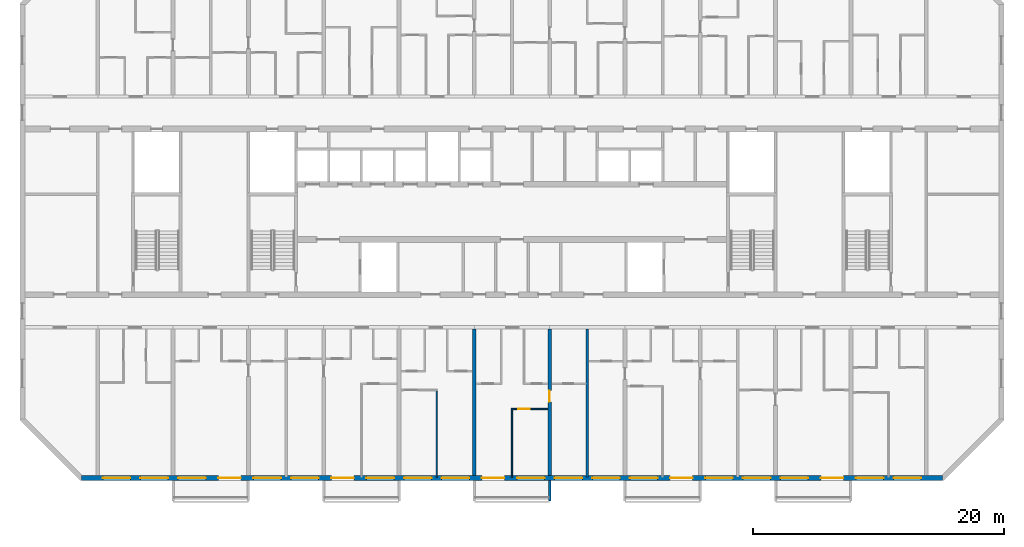
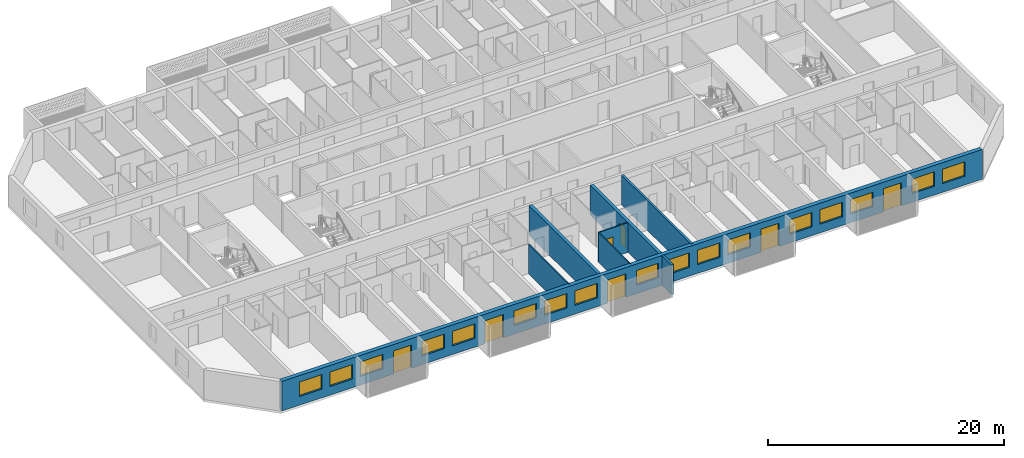
# One storey, part 4 of 33: 17 windows, 8 walls, 7 doors, 24 openings.
"""IFC4 building model written with IfcOpenShell, lengths in metres."""

from ifc_helpers import new_model, si_unit, direction, frame, frame_2d, origin, place, context, subcontext, project, spatial, polyline, rectangle, outline, extrude, source, transform, mapped, material, layer, layer_set, type_object, element, fill, save


model = new_model("IFC4")

# Units and contexts
model_context = context("Model", 3, precision=1e-05, world=origin(), true_north=direction((0.0, 1.0)))
body_context = subcontext(model_context, "Body", "Model", "MODEL_VIEW")
ifc_project = project(units=[si_unit("LENGTHUNIT", "METRE"), si_unit("AREAUNIT", "SQUARE_METRE"), si_unit("VOLUMEUNIT", "CUBIC_METRE"), si_unit("PLANEANGLEUNIT", "RADIAN"), si_unit("MASSUNIT", "GRAM", prefix="KILO")], contexts=[model_context])

# Site, building, storey
site_placement = place(None, origin())
site = spatial("IfcSite", under=ifc_project, at=site_placement, CompositionType="ELEMENT")
building_placement = place(site_placement, origin())
building = spatial("IfcBuilding", under=site, at=building_placement, Name="Poui Terraces", CompositionType="ELEMENT")
storey_placement = place(building_placement, frame((0.0, 0.0, 135.60009765625)))
storey = spatial("IfcBuildingStorey", under=building, at=storey_placement, Name="L37", CompositionType="ELEMENT", Elevation=135.60009765625)

# Wall
ifc_material_1 = material(Name="Concrete 65 MPa", Category="concrete")
ifc_layer_1 = layer(ifc_material_1, 0.300048828125)
ifc_layer_set_1 = layer_set([ifc_layer_1], Name="Concrete 65 MPa")
wall_type_1 = type_object("IfcWallType", Name="CROSS WALL 300 65MPa", PredefinedType="SHEAR", material=ifc_layer_set_1)
wall_1_placement = place(storey_placement, frame((48.0, 0.199951171875, 0.0), z_axis=(0.0, 0.0, 1.0), x_axis=(0.0, 1.0, 0.0)))
element("IfcWall", 1, at=wall_1_placement, inside=storey, type_object=wall_type_1, Name="CROSS WALL LINE 9 SOUTH", PredefinedType="SHEAR", context=body_context, shape_type="SweptSolid", body=[
    extrude(rectangle(XDim=11.675048828125, YDim=0.300048828125, at=frame_2d((5.83740234375, 0.0))), origin(), (0.0, 0.0, 1.0), 3.06982421875),
])

# Wall, opening, door
wall_2_placement = place(storey_placement, frame((54.0, 0.199951171875, 0.0), z_axis=(0.0, 0.0, 1.0), x_axis=(0.0, 1.0, 0.0)))
wall_2 = element("IfcWall", 2, at=wall_2_placement, inside=storey, type_object=wall_type_1, Name="CROSS WALL LINE 10 SOUTH", PredefinedType="SHEAR", context=body_context, shape_type="SweptSolid", body=[
    extrude(rectangle(XDim=11.675048828125, YDim=0.300048828125, at=frame_2d((5.83740234375, 0.0))), origin(), (0.0, 0.0, 1.0), 3.06982421875),
])
opening_1_placement = place(wall_2_placement, frame((5.85009765625, 0.0, 0.0)))
opening_1 = element("IfcOpeningElement", 3, at=opening_1_placement, cuts=wall_2, Name="Opening D90", PredefinedType="OPENING", context=body_context, shape_type="SweptSolid", body=[
    extrude(rectangle(XDim=0.89990234375, YDim=2.10009765625, at=frame_2d((0.449951171875, 1.050048828125))), frame((0.0, 0.16015625, 0.0), z_axis=(0.0, -1.0, 0.0), x_axis=(1.0, 0.0, 0.0)), (0.0, 0.0, 1.0), 0.320068359375),
])
ifc_material_2 = material(Name="Solid core timber door", Category="wood")
door_type_1 = type_object("IfcDoorType", Name="INTERNAL DOOR 900 X 2100", OperationType="NOTDEFINED", PredefinedType="DOOR", material=ifc_material_2)
door_1_placement = place(opening_1_placement, frame((0.89990234375, 0.0, 0.0), z_axis=(0.0, 0.0, 1.0), x_axis=(-1.0, 0.0, 0.0)))
door_1 = element("IfcDoor", 4, at=door_1_placement, inside=storey, type_object=door_type_1, Name="INTERNAL DOOR 098", OperationType="SINGLE_SWING_LEFT", OverallHeight=2.10009765625, OverallWidth=0.89990234375, PredefinedType="DOOR", context=body_context, shape_type="SweptSolid", body=[
    extrude(rectangle(XDim=0.89990234375, YDim=2.10009765625, at=frame_2d((0.449951171875, 1.050048828125))), frame((0.0, 0.02490234375, 0.0), z_axis=(0.0, -1.0, 0.0), x_axis=(1.0, 0.0, 0.0)), (0.0, 0.0, 1.0), 0.050048828125),
])
fill(opening_1, door_1)

# Wall, openings, doors, windows
ifc_material_3 = material(Name="Precast concrete 40 MPa", Category="concrete")
ifc_layer_2 = layer(ifc_material_3, 0.39990234375)
ifc_layer_set_2 = layer_set([ifc_layer_2], Name="Precast concrete 40 MPa")
wall_type_2 = type_object("IfcWallType", Name="EXTERNAL WALL 400", PredefinedType="STANDARD", material=ifc_layer_set_2)
wall_3_placement = place(storey_placement, frame((16.682861328125, 0.0, 0.0), z_axis=(0.0, 0.0, 1.0), x_axis=(1.0, 0.0, 0.0)))
wall_3 = element("IfcWall", 5, at=wall_3_placement, inside=storey, type_object=wall_type_2, Name="EXTERNAL WALL S", PredefinedType="STANDARD", context=body_context, shape_type="SweptSolid", body=[
    extrude(rectangle(XDim=68.63427734375, YDim=0.39990234375, at=frame_2d((34.317138671875, 0.0))), origin(), (0.0, 0.0, 1.0), 3.06982421875),
])
opening_2_placement = place(wall_3_placement, frame((1.71728515625, 0.0, 0.89990234375)))
opening_2 = element("IfcOpeningElement", 6, at=opening_2_placement, cuts=wall_3, Name="Opening W1", PredefinedType="OPENING", context=body_context, shape_type="SweptSolid", body=[
    extrude(rectangle(XDim=2.199951171875, YDim=1.5, at=frame_2d((1.10009765625, 0.75))), frame((0.0, 0.2099609375, 0.0), z_axis=(0.0, -1.0, 0.0), x_axis=(1.0, 0.0, 0.0)), (0.0, 0.0, 1.0), 0.419921875),
])
opening_3_placement = place(wall_3_placement, frame((4.71728515625, 0.0, 0.89990234375)))
opening_3 = element("IfcOpeningElement", 7, at=opening_3_placement, cuts=wall_3, Name="Opening W1", PredefinedType="OPENING", context=body_context, shape_type="SweptSolid", body=[
    extrude(rectangle(XDim=2.199951171875, YDim=1.5, at=frame_2d((1.10009765625, 0.75))), frame((0.0, 0.2099609375, 0.0), z_axis=(0.0, -1.0, 0.0), x_axis=(1.0, 0.0, 0.0)), (0.0, 0.0, 1.0), 0.419921875),
])
opening_4_placement = place(wall_3_placement, frame((7.71728515625, 0.0, 0.89990234375)))
opening_4 = element("IfcOpeningElement", 8, at=opening_4_placement, cuts=wall_3, Name="Opening W1", PredefinedType="OPENING", context=body_context, shape_type="SweptSolid", body=[
    extrude(rectangle(XDim=2.199951171875, YDim=1.5, at=frame_2d((1.10009765625, 0.75))), frame((0.0, 0.2099609375, 0.0), z_axis=(0.0, -1.0, 0.0), x_axis=(1.0, 0.0, 0.0)), (0.0, 0.0, 1.0), 0.419921875),
])
opening_5_placement = place(wall_3_placement, frame((10.917236328125, 0.0, 0.0)))
opening_5 = element("IfcOpeningElement", 9, at=opening_5_placement, cuts=wall_3, Name="Opening BD1", PredefinedType="OPENING", context=body_context, shape_type="SweptSolid", body=[
    extrude(rectangle(XDim=1.800048828125, YDim=2.39990234375, at=frame_2d((0.89990234375, 1.199951171875))), frame((0.0, 0.2099609375, 0.0), z_axis=(0.0, -1.0, 0.0), x_axis=(1.0, 0.0, 0.0)), (0.0, 0.0, 1.0), 0.419921875),
])
opening_6_placement = place(wall_3_placement, frame((13.71728515625, 0.0, 0.89990234375)))
opening_6 = element("IfcOpeningElement", 10, at=opening_6_placement, cuts=wall_3, Name="Opening W1", PredefinedType="OPENING", context=body_context, shape_type="SweptSolid", body=[
    extrude(rectangle(XDim=2.199951171875, YDim=1.5, at=frame_2d((1.10009765625, 0.75))), frame((0.0, 0.2099609375, 0.0), z_axis=(0.0, -1.0, 0.0), x_axis=(1.0, 0.0, 0.0)), (0.0, 0.0, 1.0), 0.419921875),
])
opening_7_placement = place(wall_3_placement, frame((16.71728515625, 0.0, 0.89990234375)))
opening_7 = element("IfcOpeningElement", 11, at=opening_7_placement, cuts=wall_3, Name="Opening W1", PredefinedType="OPENING", context=body_context, shape_type="SweptSolid", body=[
    extrude(rectangle(XDim=2.199951171875, YDim=1.5, at=frame_2d((1.10009765625, 0.75))), frame((0.0, 0.2099609375, 0.0), z_axis=(0.0, -1.0, 0.0), x_axis=(1.0, 0.0, 0.0)), (0.0, 0.0, 1.0), 0.419921875),
])
opening_8_placement = place(wall_3_placement, frame((19.917236328125, 0.0, 0.0)))
opening_8 = element("IfcOpeningElement", 12, at=opening_8_placement, cuts=wall_3, Name="Opening BD1", PredefinedType="OPENING", context=body_context, shape_type="SweptSolid", body=[
    extrude(rectangle(XDim=1.800048828125, YDim=2.39990234375, at=frame_2d((0.89990234375, 1.199951171875))), frame((0.0, 0.2099609375, 0.0), z_axis=(0.0, -1.0, 0.0), x_axis=(1.0, 0.0, 0.0)), (0.0, 0.0, 1.0), 0.419921875),
])
opening_9_placement = place(wall_3_placement, frame((22.71728515625, 0.0, 0.89990234375)))
opening_9 = element("IfcOpeningElement", 13, at=opening_9_placement, cuts=wall_3, Name="Opening W1", PredefinedType="OPENING", context=body_context, shape_type="SweptSolid", body=[
    extrude(rectangle(XDim=2.199951171875, YDim=1.5, at=frame_2d((1.10009765625, 0.75))), frame((0.0, 0.2099609375, 0.0), z_axis=(0.0, -1.0, 0.0), x_axis=(1.0, 0.0, 0.0)), (0.0, 0.0, 1.0), 0.419921875),
])
opening_10_placement = place(wall_3_placement, frame((25.71728515625, 0.0, 0.89990234375)))
opening_10 = element("IfcOpeningElement", 14, at=opening_10_placement, cuts=wall_3, Name="Opening W1", PredefinedType="OPENING", context=body_context, shape_type="SweptSolid", body=[
    extrude(rectangle(XDim=2.199951171875, YDim=1.5, at=frame_2d((1.10009765625, 0.75))), frame((0.0, 0.2099609375, 0.0), z_axis=(0.0, -1.0, 0.0), x_axis=(1.0, 0.0, 0.0)), (0.0, 0.0, 1.0), 0.419921875),
])
opening_11_placement = place(wall_3_placement, frame((28.71728515625, 0.0, 0.89990234375)))
opening_11 = element("IfcOpeningElement", 15, at=opening_11_placement, cuts=wall_3, Name="Opening W1", PredefinedType="OPENING", context=body_context, shape_type="SweptSolid", body=[
    extrude(rectangle(XDim=2.199951171875, YDim=1.5, at=frame_2d((1.10009765625, 0.75))), frame((0.0, 0.2099609375, 0.0), z_axis=(0.0, -1.0, 0.0), x_axis=(1.0, 0.0, 0.0)), (0.0, 0.0, 1.0), 0.419921875),
])
opening_12_placement = place(wall_3_placement, frame((31.917236328125, 0.0, 0.0)))
opening_12 = element("IfcOpeningElement", 16, at=opening_12_placement, cuts=wall_3, Name="Opening BD1", PredefinedType="OPENING", context=body_context, shape_type="SweptSolid", body=[
    extrude(rectangle(XDim=1.800048828125, YDim=2.39990234375, at=frame_2d((0.89990234375, 1.199951171875))), frame((0.0, 0.2099609375, 0.0), z_axis=(0.0, -1.0, 0.0), x_axis=(1.0, 0.0, 0.0)), (0.0, 0.0, 1.0), 0.419921875),
])
opening_13_placement = place(wall_3_placement, frame((34.71728515625, 0.0, 0.89990234375)))
opening_13 = element("IfcOpeningElement", 17, at=opening_13_placement, cuts=wall_3, Name="Opening W1", PredefinedType="OPENING", context=body_context, shape_type="SweptSolid", body=[
    extrude(rectangle(XDim=2.199951171875, YDim=1.5, at=frame_2d((1.10009765625, 0.75))), frame((0.0, 0.2099609375, 0.0), z_axis=(0.0, -1.0, 0.0), x_axis=(1.0, 0.0, 0.0)), (0.0, 0.0, 1.0), 0.419921875),
])
opening_14_placement = place(wall_3_placement, frame((37.71728515625, 0.0, 0.89990234375)))
opening_14 = element("IfcOpeningElement", 18, at=opening_14_placement, cuts=wall_3, Name="Opening W1", PredefinedType="OPENING", context=body_context, shape_type="SweptSolid", body=[
    extrude(rectangle(XDim=2.199951171875, YDim=1.5, at=frame_2d((1.10009765625, 0.75))), frame((0.0, 0.2099609375, 0.0), z_axis=(0.0, -1.0, 0.0), x_axis=(1.0, 0.0, 0.0)), (0.0, 0.0, 1.0), 0.419921875),
])
opening_15_placement = place(wall_3_placement, frame((40.71728515625, 0.0, 0.89990234375)))
opening_15 = element("IfcOpeningElement", 19, at=opening_15_placement, cuts=wall_3, Name="Opening W1", PredefinedType="OPENING", context=body_context, shape_type="SweptSolid", body=[
    extrude(rectangle(XDim=2.199951171875, YDim=1.5, at=frame_2d((1.10009765625, 0.75))), frame((0.0, 0.2099609375, 0.0), z_axis=(0.0, -1.0, 0.0), x_axis=(1.0, 0.0, 0.0)), (0.0, 0.0, 1.0), 0.419921875),
])
opening_16_placement = place(wall_3_placement, frame((43.71728515625, 0.0, 0.89990234375)))
opening_16 = element("IfcOpeningElement", 20, at=opening_16_placement, cuts=wall_3, Name="Opening W1", PredefinedType="OPENING", context=body_context, shape_type="SweptSolid", body=[
    extrude(rectangle(XDim=2.199951171875, YDim=1.5, at=frame_2d((1.10009765625, 0.75))), frame((0.0, 0.2099609375, 0.0), z_axis=(0.0, -1.0, 0.0), x_axis=(1.0, 0.0, 0.0)), (0.0, 0.0, 1.0), 0.419921875),
])
opening_17_placement = place(wall_3_placement, frame((46.917236328125, 0.0, 0.0)))
opening_17 = element("IfcOpeningElement", 21, at=opening_17_placement, cuts=wall_3, Name="Opening BD1", PredefinedType="OPENING", context=body_context, shape_type="SweptSolid", body=[
    extrude(rectangle(XDim=1.800048828125, YDim=2.39990234375, at=frame_2d((0.89990234375, 1.199951171875))), frame((0.0, 0.2099609375, 0.0), z_axis=(0.0, -1.0, 0.0), x_axis=(1.0, 0.0, 0.0)), (0.0, 0.0, 1.0), 0.419921875),
])
opening_18_placement = place(wall_3_placement, frame((49.71728515625, 0.0, 0.89990234375)))
opening_18 = element("IfcOpeningElement", 22, at=opening_18_placement, cuts=wall_3, Name="Opening W1", PredefinedType="OPENING", context=body_context, shape_type="SweptSolid", body=[
    extrude(rectangle(XDim=2.199951171875, YDim=1.5, at=frame_2d((1.10009765625, 0.75))), frame((0.0, 0.2099609375, 0.0), z_axis=(0.0, -1.0, 0.0), x_axis=(1.0, 0.0, 0.0)), (0.0, 0.0, 1.0), 0.419921875),
])
opening_19_placement = place(wall_3_placement, frame((52.71728515625, 0.0, 0.89990234375)))
opening_19 = element("IfcOpeningElement", 23, at=opening_19_placement, cuts=wall_3, Name="Opening W1", PredefinedType="OPENING", context=body_context, shape_type="SweptSolid", body=[
    extrude(rectangle(XDim=2.199951171875, YDim=1.5, at=frame_2d((1.10009765625, 0.75))), frame((0.0, 0.2099609375, 0.0), z_axis=(0.0, -1.0, 0.0), x_axis=(1.0, 0.0, 0.0)), (0.0, 0.0, 1.0), 0.419921875),
])
opening_20_placement = place(wall_3_placement, frame((55.71728515625, 0.0, 0.89990234375)))
opening_20 = element("IfcOpeningElement", 24, at=opening_20_placement, cuts=wall_3, Name="Opening W1", PredefinedType="OPENING", context=body_context, shape_type="SweptSolid", body=[
    extrude(rectangle(XDim=2.199951171875, YDim=1.5, at=frame_2d((1.10009765625, 0.75))), frame((0.0, 0.2099609375, 0.0), z_axis=(0.0, -1.0, 0.0), x_axis=(1.0, 0.0, 0.0)), (0.0, 0.0, 1.0), 0.419921875),
])
opening_21_placement = place(wall_3_placement, frame((58.917236328125, 0.0, 0.0)))
opening_21 = element("IfcOpeningElement", 25, at=opening_21_placement, cuts=wall_3, Name="Opening BD1", PredefinedType="OPENING", context=body_context, shape_type="SweptSolid", body=[
    extrude(rectangle(XDim=1.800048828125, YDim=2.39990234375, at=frame_2d((0.89990234375, 1.199951171875))), frame((0.0, 0.2099609375, 0.0), z_axis=(0.0, -1.0, 0.0), x_axis=(1.0, 0.0, 0.0)), (0.0, 0.0, 1.0), 0.419921875),
])
opening_22_placement = place(wall_3_placement, frame((61.71728515625, 0.0, 0.89990234375)))
opening_22 = element("IfcOpeningElement", 26, at=opening_22_placement, cuts=wall_3, Name="Opening W1", PredefinedType="OPENING", context=body_context, shape_type="SweptSolid", body=[
    extrude(rectangle(XDim=2.199951171875, YDim=1.5, at=frame_2d((1.10009765625, 0.75))), frame((0.0, 0.2099609375, 0.0), z_axis=(0.0, -1.0, 0.0), x_axis=(1.0, 0.0, 0.0)), (0.0, 0.0, 1.0), 0.419921875),
])
opening_23_placement = place(wall_3_placement, frame((64.71728515625, 0.0, 0.89990234375)))
opening_23 = element("IfcOpeningElement", 27, at=opening_23_placement, cuts=wall_3, Name="Opening W1", PredefinedType="OPENING", context=body_context, shape_type="SweptSolid", body=[
    extrude(rectangle(XDim=2.199951171875, YDim=1.5, at=frame_2d((1.10009765625, 0.75))), frame((0.0, 0.2099609375, 0.0), z_axis=(0.0, -1.0, 0.0), x_axis=(1.0, 0.0, 0.0)), (0.0, 0.0, 1.0), 0.419921875),
])
ifc_material_4 = material(Name="Clear glass in aluminium frame", Category="aluminium")
door_type_2 = type_object("IfcDoorType", Name="BALCONY DOOR 1800X2400", OperationType="DOUBLE_DOOR_SLIDING", PredefinedType="DOOR", material=ifc_material_4)
door_2_placement = place(opening_5_placement, origin())
door_2 = element("IfcDoor", 28, at=door_2_placement, inside=storey, type_object=door_type_2, Name="BD1 BALCONY DOOR", OperationType="DOUBLE_DOOR_SLIDING", OverallHeight=2.39990234375, OverallWidth=1.800048828125, PredefinedType="DOOR", context=body_context, shape_type="SweptSolid", body=[
    extrude(rectangle(XDim=1.800048828125, YDim=2.39990234375, at=frame_2d((0.89990234375, 1.199951171875))), frame((0.0, 0.02490234375, 0.0), z_axis=(0.0, -1.0, 0.0), x_axis=(1.0, 0.0, 0.0)), (0.0, 0.0, 1.0), 0.050048828125),
])
fill(opening_5, door_2)
door_3_placement = place(opening_8_placement, origin())
door_3 = element("IfcDoor", 29, at=door_3_placement, inside=storey, type_object=door_type_2, Name="BD1 BALCONY DOOR", OperationType="DOUBLE_DOOR_SLIDING", OverallHeight=2.39990234375, OverallWidth=1.800048828125, PredefinedType="DOOR", context=body_context, shape_type="SweptSolid", body=[
    extrude(rectangle(XDim=1.800048828125, YDim=2.39990234375, at=frame_2d((0.89990234375, 1.199951171875))), frame((0.0, 0.02490234375, 0.0), z_axis=(0.0, -1.0, 0.0), x_axis=(1.0, 0.0, 0.0)), (0.0, 0.0, 1.0), 0.050048828125),
])
fill(opening_8, door_3)
door_4_placement = place(opening_12_placement, origin())
door_4 = element("IfcDoor", 30, at=door_4_placement, inside=storey, type_object=door_type_2, Name="BD1 BALCONY DOOR", OperationType="DOUBLE_DOOR_SLIDING", OverallHeight=2.39990234375, OverallWidth=1.800048828125, PredefinedType="DOOR", context=body_context, shape_type="SweptSolid", body=[
    extrude(rectangle(XDim=1.800048828125, YDim=2.39990234375, at=frame_2d((0.89990234375, 1.199951171875))), frame((0.0, 0.02490234375, 0.0), z_axis=(0.0, -1.0, 0.0), x_axis=(1.0, 0.0, 0.0)), (0.0, 0.0, 1.0), 0.050048828125),
])
fill(opening_12, door_4)
door_5_placement = place(opening_17_placement, origin())
door_5 = element("IfcDoor", 31, at=door_5_placement, inside=storey, type_object=door_type_2, Name="BD1 BALCONY DOOR", OperationType="DOUBLE_DOOR_SLIDING", OverallHeight=2.39990234375, OverallWidth=1.800048828125, PredefinedType="DOOR", context=body_context, shape_type="SweptSolid", body=[
    extrude(rectangle(XDim=1.800048828125, YDim=2.39990234375, at=frame_2d((0.89990234375, 1.199951171875))), frame((0.0, 0.02490234375, 0.0), z_axis=(0.0, -1.0, 0.0), x_axis=(1.0, 0.0, 0.0)), (0.0, 0.0, 1.0), 0.050048828125),
])
fill(opening_17, door_5)
door_6_placement = place(opening_21_placement, origin())
door_6 = element("IfcDoor", 32, at=door_6_placement, inside=storey, type_object=door_type_2, Name="BD1 BALCONY DOOR", OperationType="DOUBLE_DOOR_SLIDING", OverallHeight=2.39990234375, OverallWidth=1.800048828125, PredefinedType="DOOR", context=body_context, shape_type="SweptSolid", body=[
    extrude(rectangle(XDim=1.800048828125, YDim=2.39990234375, at=frame_2d((0.89990234375, 1.199951171875))), frame((0.0, 0.02490234375, 0.0), z_axis=(0.0, -1.0, 0.0), x_axis=(1.0, 0.0, 0.0)), (0.0, 0.0, 1.0), 0.050048828125),
])
fill(opening_21, door_6)
window_type = type_object("IfcWindowType", Name="WINDOW 2200X1500", PartitioningType="DOUBLE_PANEL_HORIZONTAL", PredefinedType="WINDOW", material=ifc_material_4)
window_1_placement = place(opening_2_placement, origin())
window_1 = element("IfcWindow", 33, at=window_1_placement, inside=storey, type_object=window_type, Name="W1 WINDOW", OverallHeight=1.5, OverallWidth=2.199951171875, PartitioningType="DOUBLE_PANEL_HORIZONTAL", PredefinedType="WINDOW", context=body_context, shape_type="SweptSolid", body=[
    extrude(rectangle(XDim=2.199951171875, YDim=1.5, at=frame_2d((1.10009765625, 0.75))), frame((0.0, 0.030029296875, 0.0), z_axis=(0.0, -1.0, 0.0), x_axis=(1.0, 0.0, 0.0)), (0.0, 0.0, 1.0), 0.06005859375),
])
fill(opening_2, window_1)
window_2_placement = place(opening_3_placement, origin())
window_2 = element("IfcWindow", 34, at=window_2_placement, inside=storey, type_object=window_type, Name="W1 WINDOW", OverallHeight=1.5, OverallWidth=2.199951171875, PartitioningType="DOUBLE_PANEL_HORIZONTAL", PredefinedType="WINDOW", context=body_context, shape_type="SweptSolid", body=[
    extrude(rectangle(XDim=2.199951171875, YDim=1.5, at=frame_2d((1.10009765625, 0.75))), frame((0.0, 0.030029296875, 0.0), z_axis=(0.0, -1.0, 0.0), x_axis=(1.0, 0.0, 0.0)), (0.0, 0.0, 1.0), 0.06005859375),
])
fill(opening_3, window_2)
window_3_placement = place(opening_4_placement, origin())
window_3 = element("IfcWindow", 35, at=window_3_placement, inside=storey, type_object=window_type, Name="W1 WINDOW", OverallHeight=1.5, OverallWidth=2.199951171875, PartitioningType="DOUBLE_PANEL_HORIZONTAL", PredefinedType="WINDOW", context=body_context, shape_type="SweptSolid", body=[
    extrude(rectangle(XDim=2.199951171875, YDim=1.5, at=frame_2d((1.10009765625, 0.75))), frame((0.0, 0.030029296875, 0.0), z_axis=(0.0, -1.0, 0.0), x_axis=(1.0, 0.0, 0.0)), (0.0, 0.0, 1.0), 0.06005859375),
])
fill(opening_4, window_3)
window_4_placement = place(opening_6_placement, origin())
window_4 = element("IfcWindow", 36, at=window_4_placement, inside=storey, type_object=window_type, Name="W1 WINDOW", OverallHeight=1.5, OverallWidth=2.199951171875, PartitioningType="DOUBLE_PANEL_HORIZONTAL", PredefinedType="WINDOW", context=body_context, shape_type="SweptSolid", body=[
    extrude(rectangle(XDim=2.199951171875, YDim=1.5, at=frame_2d((1.10009765625, 0.75))), frame((0.0, 0.030029296875, 0.0), z_axis=(0.0, -1.0, 0.0), x_axis=(1.0, 0.0, 0.0)), (0.0, 0.0, 1.0), 0.06005859375),
])
fill(opening_6, window_4)
window_5_placement = place(opening_7_placement, origin())
window_5 = element("IfcWindow", 37, at=window_5_placement, inside=storey, type_object=window_type, Name="W1 WINDOW", OverallHeight=1.5, OverallWidth=2.199951171875, PartitioningType="DOUBLE_PANEL_HORIZONTAL", PredefinedType="WINDOW", context=body_context, shape_type="SweptSolid", body=[
    extrude(rectangle(XDim=2.199951171875, YDim=1.5, at=frame_2d((1.10009765625, 0.75))), frame((0.0, 0.030029296875, 0.0), z_axis=(0.0, -1.0, 0.0), x_axis=(1.0, 0.0, 0.0)), (0.0, 0.0, 1.0), 0.06005859375),
])
fill(opening_7, window_5)
window_6_placement = place(opening_9_placement, origin())
window_6 = element("IfcWindow", 38, at=window_6_placement, inside=storey, type_object=window_type, Name="W1 WINDOW", OverallHeight=1.5, OverallWidth=2.199951171875, PartitioningType="DOUBLE_PANEL_HORIZONTAL", PredefinedType="WINDOW", context=body_context, shape_type="SweptSolid", body=[
    extrude(rectangle(XDim=2.199951171875, YDim=1.5, at=frame_2d((1.10009765625, 0.75))), frame((0.0, 0.030029296875, 0.0), z_axis=(0.0, -1.0, 0.0), x_axis=(1.0, 0.0, 0.0)), (0.0, 0.0, 1.0), 0.06005859375),
])
fill(opening_9, window_6)
window_7_placement = place(opening_10_placement, origin())
window_7 = element("IfcWindow", 39, at=window_7_placement, inside=storey, type_object=window_type, Name="W1 WINDOW", OverallHeight=1.5, OverallWidth=2.199951171875, PartitioningType="DOUBLE_PANEL_HORIZONTAL", PredefinedType="WINDOW", context=body_context, shape_type="SweptSolid", body=[
    extrude(rectangle(XDim=2.199951171875, YDim=1.5, at=frame_2d((1.10009765625, 0.75))), frame((0.0, 0.030029296875, 0.0), z_axis=(0.0, -1.0, 0.0), x_axis=(1.0, 0.0, 0.0)), (0.0, 0.0, 1.0), 0.06005859375),
])
fill(opening_10, window_7)
window_8_placement = place(opening_11_placement, origin())
window_8 = element("IfcWindow", 40, at=window_8_placement, inside=storey, type_object=window_type, Name="W1 WINDOW", OverallHeight=1.5, OverallWidth=2.199951171875, PartitioningType="DOUBLE_PANEL_HORIZONTAL", PredefinedType="WINDOW", context=body_context, shape_type="SweptSolid", body=[
    extrude(rectangle(XDim=2.199951171875, YDim=1.5, at=frame_2d((1.10009765625, 0.75))), frame((0.0, 0.030029296875, 0.0), z_axis=(0.0, -1.0, 0.0), x_axis=(1.0, 0.0, 0.0)), (0.0, 0.0, 1.0), 0.06005859375),
])
fill(opening_11, window_8)
window_9_placement = place(opening_13_placement, origin())
window_9 = element("IfcWindow", 41, at=window_9_placement, inside=storey, type_object=window_type, Name="W1 WINDOW", OverallHeight=1.5, OverallWidth=2.199951171875, PartitioningType="DOUBLE_PANEL_HORIZONTAL", PredefinedType="WINDOW", context=body_context, shape_type="SweptSolid", body=[
    extrude(rectangle(XDim=2.199951171875, YDim=1.5, at=frame_2d((1.10009765625, 0.75))), frame((0.0, 0.030029296875, 0.0), z_axis=(0.0, -1.0, 0.0), x_axis=(1.0, 0.0, 0.0)), (0.0, 0.0, 1.0), 0.06005859375),
])
fill(opening_13, window_9)
window_10_placement = place(opening_14_placement, origin())
window_10 = element("IfcWindow", 42, at=window_10_placement, inside=storey, type_object=window_type, Name="W1 WINDOW", OverallHeight=1.5, OverallWidth=2.199951171875, PartitioningType="DOUBLE_PANEL_HORIZONTAL", PredefinedType="WINDOW", context=body_context, shape_type="SweptSolid", body=[
    extrude(rectangle(XDim=2.199951171875, YDim=1.5, at=frame_2d((1.10009765625, 0.75))), frame((0.0, 0.030029296875, 0.0), z_axis=(0.0, -1.0, 0.0), x_axis=(1.0, 0.0, 0.0)), (0.0, 0.0, 1.0), 0.06005859375),
])
fill(opening_14, window_10)
window_11_placement = place(opening_15_placement, origin())
window_11 = element("IfcWindow", 43, at=window_11_placement, inside=storey, type_object=window_type, Name="W1 WINDOW", OverallHeight=1.5, OverallWidth=2.199951171875, PartitioningType="DOUBLE_PANEL_HORIZONTAL", PredefinedType="WINDOW", context=body_context, shape_type="SweptSolid", body=[
    extrude(rectangle(XDim=2.199951171875, YDim=1.5, at=frame_2d((1.10009765625, 0.75))), frame((0.0, 0.030029296875, 0.0), z_axis=(0.0, -1.0, 0.0), x_axis=(1.0, 0.0, 0.0)), (0.0, 0.0, 1.0), 0.06005859375),
])
fill(opening_15, window_11)
window_12_placement = place(opening_16_placement, origin())
window_12 = element("IfcWindow", 44, at=window_12_placement, inside=storey, type_object=window_type, Name="W1 WINDOW", OverallHeight=1.5, OverallWidth=2.199951171875, PartitioningType="DOUBLE_PANEL_HORIZONTAL", PredefinedType="WINDOW", context=body_context, shape_type="SweptSolid", body=[
    extrude(rectangle(XDim=2.199951171875, YDim=1.5, at=frame_2d((1.10009765625, 0.75))), frame((0.0, 0.030029296875, 0.0), z_axis=(0.0, -1.0, 0.0), x_axis=(1.0, 0.0, 0.0)), (0.0, 0.0, 1.0), 0.06005859375),
])
fill(opening_16, window_12)
window_13_placement = place(opening_18_placement, origin())
window_13 = element("IfcWindow", 45, at=window_13_placement, inside=storey, type_object=window_type, Name="W1 WINDOW", OverallHeight=1.5, OverallWidth=2.199951171875, PartitioningType="DOUBLE_PANEL_HORIZONTAL", PredefinedType="WINDOW", context=body_context, shape_type="SweptSolid", body=[
    extrude(rectangle(XDim=2.199951171875, YDim=1.5, at=frame_2d((1.10009765625, 0.75))), frame((0.0, 0.030029296875, 0.0), z_axis=(0.0, -1.0, 0.0), x_axis=(1.0, 0.0, 0.0)), (0.0, 0.0, 1.0), 0.06005859375),
])
fill(opening_18, window_13)
window_14_placement = place(opening_19_placement, origin())
window_14 = element("IfcWindow", 46, at=window_14_placement, inside=storey, type_object=window_type, Name="W1 WINDOW", OverallHeight=1.5, OverallWidth=2.199951171875, PartitioningType="DOUBLE_PANEL_HORIZONTAL", PredefinedType="WINDOW", context=body_context, shape_type="SweptSolid", body=[
    extrude(rectangle(XDim=2.199951171875, YDim=1.5, at=frame_2d((1.10009765625, 0.75))), frame((0.0, 0.030029296875, 0.0), z_axis=(0.0, -1.0, 0.0), x_axis=(1.0, 0.0, 0.0)), (0.0, 0.0, 1.0), 0.06005859375),
])
fill(opening_19, window_14)
window_15_placement = place(opening_20_placement, origin())
window_15 = element("IfcWindow", 47, at=window_15_placement, inside=storey, type_object=window_type, Name="W1 WINDOW", OverallHeight=1.5, OverallWidth=2.199951171875, PartitioningType="DOUBLE_PANEL_HORIZONTAL", PredefinedType="WINDOW", context=body_context, shape_type="SweptSolid", body=[
    extrude(rectangle(XDim=2.199951171875, YDim=1.5, at=frame_2d((1.10009765625, 0.75))), frame((0.0, 0.030029296875, 0.0), z_axis=(0.0, -1.0, 0.0), x_axis=(1.0, 0.0, 0.0)), (0.0, 0.0, 1.0), 0.06005859375),
])
fill(opening_20, window_15)
window_16_placement = place(opening_22_placement, origin())
window_16 = element("IfcWindow", 48, at=window_16_placement, inside=storey, type_object=window_type, Name="W1 WINDOW", OverallHeight=1.5, OverallWidth=2.199951171875, PartitioningType="DOUBLE_PANEL_HORIZONTAL", PredefinedType="WINDOW", context=body_context, shape_type="SweptSolid", body=[
    extrude(rectangle(XDim=2.199951171875, YDim=1.5, at=frame_2d((1.10009765625, 0.75))), frame((0.0, 0.030029296875, 0.0), z_axis=(0.0, -1.0, 0.0), x_axis=(1.0, 0.0, 0.0)), (0.0, 0.0, 1.0), 0.06005859375),
])
fill(opening_22, window_16)
window_17_placement = place(opening_23_placement, origin())
window_17 = element("IfcWindow", 49, at=window_17_placement, inside=storey, type_object=window_type, Name="W1 WINDOW", OverallHeight=1.5, OverallWidth=2.199951171875, PartitioningType="DOUBLE_PANEL_HORIZONTAL", PredefinedType="WINDOW", context=body_context, shape_type="SweptSolid", body=[
    extrude(rectangle(XDim=2.199951171875, YDim=1.5, at=frame_2d((1.10009765625, 0.75))), frame((0.0, 0.030029296875, 0.0), z_axis=(0.0, -1.0, 0.0), x_axis=(1.0, 0.0, 0.0)), (0.0, 0.0, 1.0), 0.06005859375),
])
fill(opening_23, window_17)

# Wall, opening, door
ifc_material_5 = material(Name="Plasterboard partition")
ifc_layer_3 = layer(ifc_material_5, 0.10009765625)
ifc_layer_set_3 = layer_set([ifc_layer_3], Name="Plasterboard partition")
wall_type_3 = type_object("IfcWallType", Name="FLAT PARTITION 100", PredefinedType="PARTITIONING", material=ifc_layer_set_3)
wall_4_placement = place(storey_placement, frame((50.949951171875, 5.5, 0.0), z_axis=(0.0, 0.0, 1.0), x_axis=(1.0, 0.0, 0.0)))
wall_4 = element("IfcWall", 50, at=wall_4_placement, inside=storey, type_object=wall_type_3, Name="FLAT PARTITION 100", PredefinedType="PARTITIONING", context=body_context, shape_type="SweptSolid", body=[
    extrude(rectangle(XDim=2.89013671875, YDim=0.10009765625, at=frame_2d((1.445068359375, 0.0))), origin(), (0.0, 0.0, 1.0), 3.06982421875),
])
opening_24_placement = place(wall_4_placement, frame((0.550048828125, 0.0, 0.0)))
opening_24 = element("IfcOpeningElement", 51, at=opening_24_placement, cuts=wall_4, Name="Opening D90", PredefinedType="OPENING", context=body_context, shape_type="SweptSolid", body=[
    extrude(rectangle(XDim=0.89990234375, YDim=2.10009765625, at=frame_2d((0.449951171875, 1.050048828125))), frame((0.0, 0.06005859375, 0.0), z_axis=(0.0, -1.0, 0.0), x_axis=(1.0, 0.0, 0.0)), (0.0, 0.0, 1.0), 0.1201171875),
])
door_7_placement = place(opening_24_placement, frame((0.89990234375, 0.0, 0.0), z_axis=(0.0, 0.0, 1.0), x_axis=(-1.0, 0.0, 0.0)))
door_7 = element("IfcDoor", 52, at=door_7_placement, inside=storey, type_object=door_type_1, Name="INTERNAL DOOR 096", OperationType="SINGLE_SWING_RIGHT", OverallHeight=2.10009765625, OverallWidth=0.89990234375, PredefinedType="DOOR", context=body_context, shape_type="SweptSolid", body=[
    extrude(rectangle(XDim=0.89990234375, YDim=2.10009765625, at=frame_2d((0.449951171875, 1.050048828125))), frame((0.0, 0.02490234375, 0.0), z_axis=(0.0, -1.0, 0.0), x_axis=(1.0, 0.0, 0.0)), (0.0, 0.0, 1.0), 0.050048828125),
])
fill(opening_24, door_7)

# Walls
wall_5_placement = place(storey_placement, frame((45.0, 0.06005859375, 0.0), z_axis=(0.0, 0.0, 1.0), x_axis=(0.0, 1.0, 0.0)))
element("IfcWall", 53, at=wall_5_placement, inside=storey, type_object=wall_type_3, Name="FLAT PARTITION 100", PredefinedType="PARTITIONING", context=body_context, shape_type="SweptSolid", body=[
    extrude(rectangle(XDim=6.889892578125, YDim=0.10009765625, at=frame_2d((3.44482421875, 0.0))), origin(), (0.0, 0.0, 1.0), 3.06982421875),
])
wall_6_placement = place(storey_placement, frame((51.0, 0.06005859375, 0.0), z_axis=(0.0, 0.0, 1.0), x_axis=(0.0, 1.0, 0.0)))
element("IfcWall", 54, at=wall_6_placement, inside=storey, type_object=wall_type_3, Name="FLAT PARTITION 100", PredefinedType="PARTITIONING", context=body_context, shape_type="SweptSolid", body=[
    extrude(rectangle(XDim=5.389892578125, YDim=0.10009765625, at=frame_2d((2.69482421875, 0.0))), origin(), (0.0, 0.0, 1.0), 3.06982421875),
])
ifc_material_6 = material(Name="Fire-rated masonry wall", Category="masonry")
ifc_layer_4 = layer(ifc_material_6, 0.199951171875)
ifc_layer_set_4 = layer_set([ifc_layer_4], Name="Fire-rated masonry wall")
wall_type_4 = type_object("IfcWallType", Name="FLAT PARTY WALL 200", PredefinedType="PARTITIONING", material=ifc_layer_set_4)
wall_7_placement = place(storey_placement, frame((57.0, 0.06005859375, 0.0), z_axis=(0.0, 0.0, 1.0), x_axis=(0.0, 1.0, 0.0)))
element("IfcWall", 55, at=wall_7_placement, inside=storey, type_object=wall_type_4, Name="FLAT PARTY WALL 200", PredefinedType="PARTITIONING", context=body_context, shape_type="SweptSolid", body=[
    extrude(rectangle(XDim=11.804931640625, YDim=0.199951171875, at=frame_2d((5.90234375, 0.0))), origin(), (0.0, 0.0, 1.0), 3.06982421875),
])
ifc_layer_5 = layer(ifc_material_3, 0.199951171875)
ifc_layer_set_5 = layer_set([ifc_layer_5], Name="Precast concrete 40 MPa")
wall_type_5 = type_object("IfcWallType", Name="REAR FIN 200", PredefinedType="STANDARD", material=ifc_layer_set_5)
shared_shape = source(origin(), body_context, "Body", "SweptSolid", [
    extrude(outline(polyline([(0.0, 0.0), (0.2001953125, 0.0), (0.2001953125, 1.650146484375), (0.0, 1.650146484375), (0.0, 0.0)])), origin(), (0.0, 0.0, 1.0), 3.099853515625),
])
wall_8_placement = place(storey_placement, frame((53.89990234375, -1.85009765625, 0.0)))
element("IfcWall", 56, at=wall_8_placement, inside=storey, type_object=wall_type_5, Name="REAR FIN", PredefinedType="STANDARD", context=body_context, shape_type="MappedRepresentation", body=[
    mapped(shared_shape, transform((0.0, 0.0, 0.0))),
])

save(model, "model.ifc")
